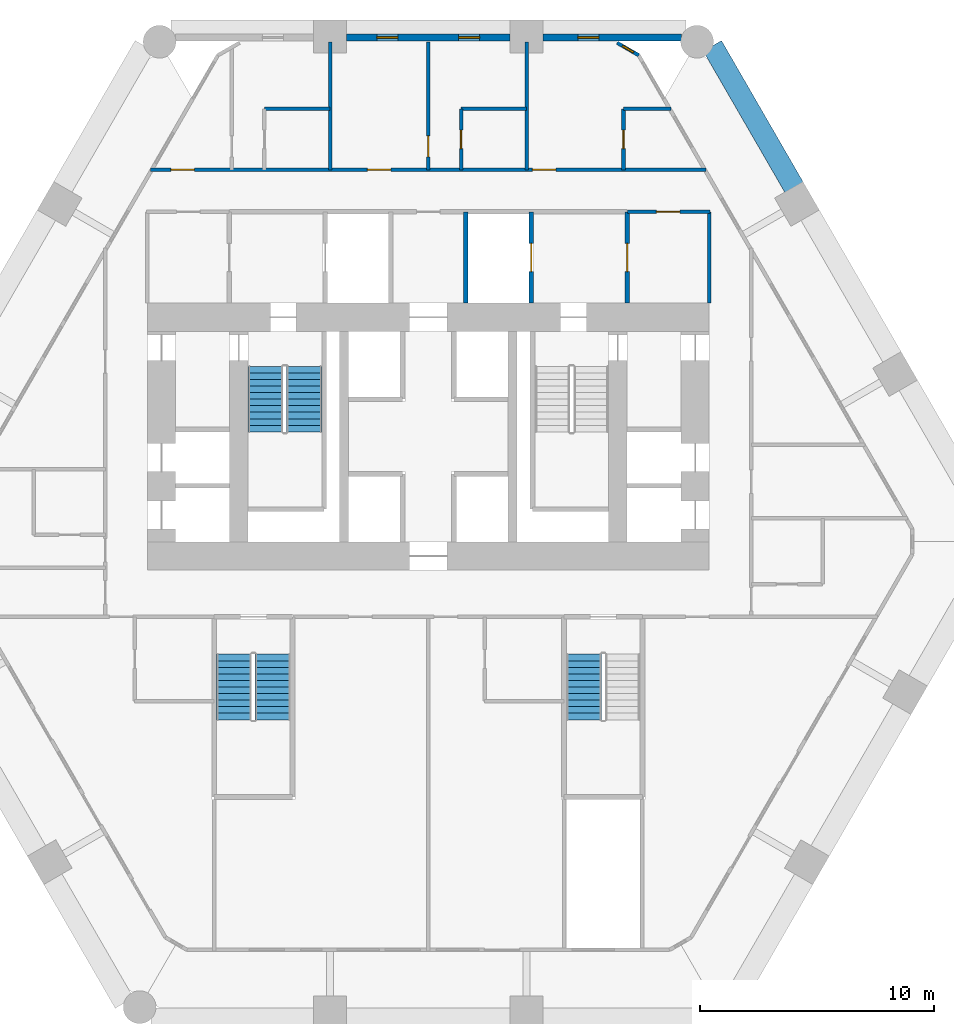
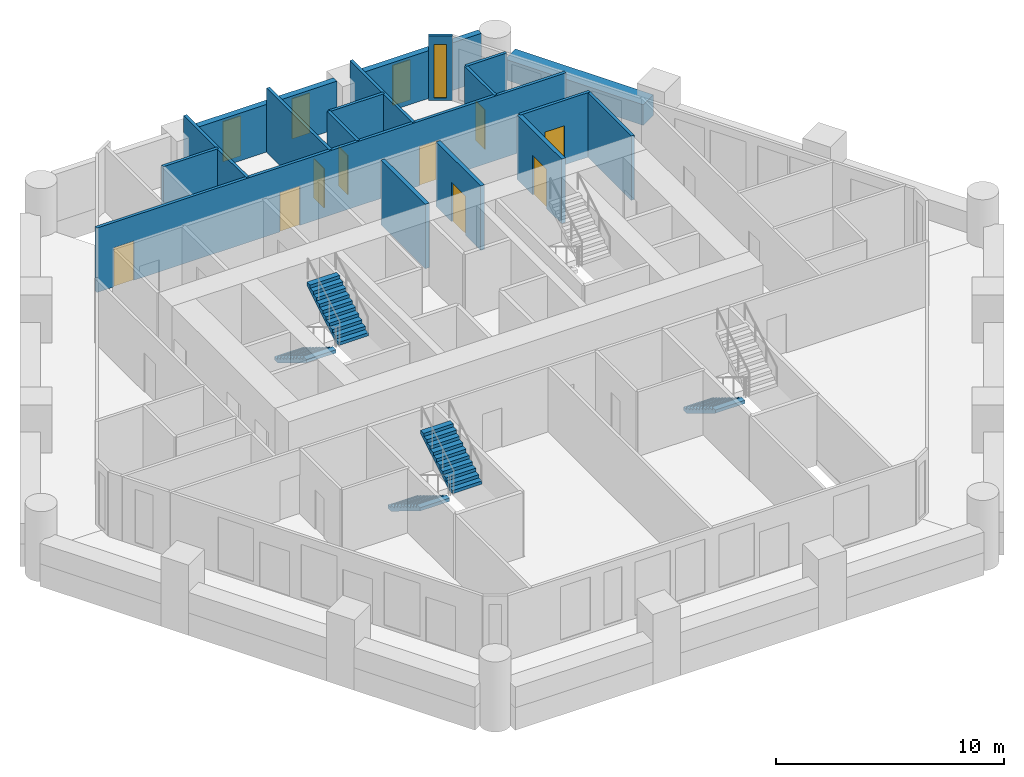
# One storey, part 6 of 8: 18 walls, 9 doors, 5 stair flights, 4 windows, 13 openings, 3 elements without a shape of their own.
"""IFC4 building model written with IfcOpenShell, lengths in metres."""

from ifc_helpers import new_model, si_unit, direction, frame, frame_2d, origin, place, context, subcontext, project, spatial, polyline, rectangle, outline, extrude, material, layer, layer_set, type_object, element, fill, aggregate, save


model = new_model("IFC4")

# Units and contexts
model_context = context("Model", 3, precision=1e-05, world=origin(), true_north=direction((0.0, 1.0)))
body_context = subcontext(model_context, "Body", "Model", "MODEL_VIEW")
ifc_project = project(units=[si_unit("LENGTHUNIT", "METRE"), si_unit("AREAUNIT", "SQUARE_METRE"), si_unit("VOLUMEUNIT", "CUBIC_METRE"), si_unit("PLANEANGLEUNIT", "RADIAN"), si_unit("MASSUNIT", "GRAM", prefix="KILO")], contexts=[model_context])

# Site, building, storey
site_placement = place(None, origin())
site = spatial("IfcSite", under=ifc_project, at=site_placement, CompositionType="ELEMENT")
building_placement = place(site_placement, origin())
building = spatial("IfcBuilding", under=site, at=building_placement, Name="Ostrander Bayou Hotel Tower", CompositionType="ELEMENT")
storey_placement = place(building_placement, frame((0.0, 0.0, 50.5)))
storey = spatial("IfcBuildingStorey", under=building, at=storey_placement, Name="L12", CompositionType="ELEMENT", Elevation=50.5)

# Wall, opening, window
ifc_material_1 = material(Name="Aluminium framed insulated wall", Category="aluminium")
ifc_layer_1 = layer(ifc_material_1, 0.14990234375)
ifc_layer_set_1 = layer_set([ifc_layer_1], Name="GW1 glass-line wall 150 mm")
wall_type_1 = type_object("IfcWallType", Name="GW1 glass-line wall 150 mm", PredefinedType="SOLIDWALL", material=ifc_layer_set_1)
wall_1_placement = place(storey_placement, frame((8.99267578125, 20.29248046875, 0.0), z_axis=(0.0, 0.0, 1.0), x_axis=(-0.866048165231, 0.499960573946, 0.0)))
wall_1 = element("IfcWall", 1, at=wall_1_placement, inside=storey, type_object=wall_type_1, Name="GW1 L12 corner 6", PredefinedType="SOLIDWALL", context=body_context, shape_type="SweptSolid", body=[
    extrude(rectangle(XDim=1.06494140625, YDim=0.14990234375, at=frame_2d((0.532470703125, 0.0))), origin(), (0.0, 0.0, 1.0), 3.449951171875),
])
opening_1_placement = place(wall_1_placement, frame((0.257568359375, 0.0, 0.14990234375)))
opening_1 = element("IfcOpeningElement", 2, at=opening_1_placement, cuts=wall_1, Name="Opening W19", PredefinedType="OPENING", context=body_context, shape_type="SweptSolid", body=[
    extrude(rectangle(XDim=0.550048828125, YDim=2.85009765625, at=frame_2d((0.27490234375, 1.425048828125))), frame((0.0, 0.074951171875, 0.0), z_axis=(0.0, -1.0, 0.0), x_axis=(1.0, 0.0, 0.0)), (0.0, 0.0, 1.0), 0.14990234375),
])
ifc_material_2 = material(Name="Aluminium and clear glass", Category="aluminium")
window_type_1 = type_object("IfcWindowType", Name="W19 corner window 550 mm", PartitioningType="SINGLE_PANEL", PredefinedType="WINDOW", material=ifc_material_2)
window_1_placement = place(opening_1_placement, origin())
window_1 = element("IfcWindow", 3, at=window_1_placement, inside=storey, type_object=window_type_1, Name="W19 L12 corner 6", OverallHeight=2.85009765625, OverallWidth=0.550048828125, PartitioningType="SINGLE_PANEL", PredefinedType="WINDOW", context=body_context, shape_type="SweptSolid", body=[
    extrude(rectangle(XDim=0.550048828125, YDim=2.85009765625, at=frame_2d((0.27490234375, 1.425048828125))), frame((0.0, 0.030029296875, 0.0), z_axis=(0.0, -1.0, 0.0), x_axis=(1.0, 0.0, 0.0)), (0.0, 0.0, 1.0), 0.06005859375),
])
fill(opening_1, window_1)

ifc_material_3 = material(Name="Reconstituted stone on masonry backing", Category="masonry")
ifc_layer_2 = layer(ifc_material_3, 0.300048828125)
ifc_layer_set_2 = layer_set([ifc_layer_2], Name="NW1 north stone wall 300 mm")
wall_type_2 = type_object("IfcWallType", Name="NW1 north stone wall 300 mm", PredefinedType="SOLIDWALL", material=ifc_layer_set_2)
wall_2_placement = place(storey_placement, frame((10.809814453125, 21.050048828125, 0.0), z_axis=(0.0, 0.0, 1.0), x_axis=(-1.0, 0.0, 0.0)))
wall_2 = element("IfcWall", 4, at=wall_2_placement, inside=storey, type_object=wall_type_2, Name="NW1 L12 N-1", PredefinedType="SOLIDWALL", context=body_context, shape_type="SweptSolid", body=[
    extrude(rectangle(XDim=5.914306640625, YDim=0.300048828125, at=frame_2d((2.95703125, 0.0))), origin(), (0.0, 0.0, 1.0), 2.550048828125),
])
opening_2_placement = place(wall_2_placement, frame((3.521728515625, 0.0, 0.14990234375)))
opening_2 = element("IfcOpeningElement", 5, at=opening_2_placement, cuts=wall_2, Name="Opening W15", PredefinedType="OPENING", context=body_context, shape_type="SweptSolid", body=[
    extrude(rectangle(XDim=0.89990234375, YDim=2.14990234375, at=frame_2d((0.449951171875, 1.074951171875))), frame((0.0, 0.14990234375, 0.0), z_axis=(0.0, -1.0, 0.0), x_axis=(1.0, 0.0, 0.0)), (0.0, 0.0, 1.0), 0.300048828125),
])
ifc_material_4 = material(Name="Aluminium and clear glass", Category="aluminium")
window_type_2 = type_object("IfcWindowType", Name="W15 window 900 mm, zone 1", PartitioningType="SINGLE_PANEL", PredefinedType="WINDOW", material=ifc_material_4)
window_2_placement = place(opening_2_placement, origin())
window_2 = element("IfcWindow", 6, at=window_2_placement, inside=storey, type_object=window_type_2, Name="W15 L12 north N-1", OverallHeight=2.14990234375, OverallWidth=0.89990234375, PartitioningType="SINGLE_PANEL", PredefinedType="WINDOW", context=body_context, shape_type="SweptSolid", body=[
    extrude(rectangle(XDim=0.89990234375, YDim=2.14990234375, at=frame_2d((0.449951171875, 1.074951171875))), frame((0.0, 0.030029296875, 0.0), z_axis=(0.0, -1.0, 0.0), x_axis=(1.0, 0.0, 0.0)), (0.0, 0.0, 1.0), 0.06005859375),
])
fill(opening_2, window_2)

# Wall, openings, windows
wall_3_placement = place(storey_placement, frame((3.495361328125, 21.050048828125, 0.0), z_axis=(0.0, 0.0, 1.0), x_axis=(-1.0, 0.0, 0.0)))
wall_3 = element("IfcWall", 7, at=wall_3_placement, inside=storey, type_object=wall_type_2, Name="NW1 L12 N-2", PredefinedType="SOLIDWALL", context=body_context, shape_type="SweptSolid", body=[
    extrude(rectangle(XDim=6.99072265625, YDim=0.300048828125, at=frame_2d((3.495361328125, 0.0))), origin(), (0.0, 0.0, 1.0), 2.550048828125),
])
opening_3_placement = place(wall_3_placement, frame((1.300048828125, 0.0, 0.14990234375)))
opening_3 = element("IfcOpeningElement", 8, at=opening_3_placement, cuts=wall_3, Name="Opening W15", PredefinedType="OPENING", context=body_context, shape_type="SweptSolid", body=[
    extrude(rectangle(XDim=0.89990234375, YDim=2.14990234375, at=frame_2d((0.449951171875, 1.074951171875))), frame((0.0, 0.14990234375, 0.0), z_axis=(0.0, -1.0, 0.0), x_axis=(1.0, 0.0, 0.0)), (0.0, 0.0, 1.0), 0.300048828125),
])
opening_4_placement = place(wall_3_placement, frame((4.79541015625, 0.0, 0.14990234375)))
opening_4 = element("IfcOpeningElement", 9, at=opening_4_placement, cuts=wall_3, Name="Opening W15", PredefinedType="OPENING", context=body_context, shape_type="SweptSolid", body=[
    extrude(rectangle(XDim=0.89990234375, YDim=2.14990234375, at=frame_2d((0.449951171875, 1.074951171875))), frame((0.0, 0.14990234375, 0.0), z_axis=(0.0, -1.0, 0.0), x_axis=(1.0, 0.0, 0.0)), (0.0, 0.0, 1.0), 0.300048828125),
])
window_3_placement = place(opening_3_placement, origin())
window_3 = element("IfcWindow", 10, at=window_3_placement, inside=storey, type_object=window_type_2, Name="W15 L12 north N-2", OverallHeight=2.14990234375, OverallWidth=0.89990234375, PartitioningType="SINGLE_PANEL", PredefinedType="WINDOW", context=body_context, shape_type="SweptSolid", body=[
    extrude(rectangle(XDim=0.89990234375, YDim=2.14990234375, at=frame_2d((0.449951171875, 1.074951171875))), frame((0.0, 0.030029296875, 0.0), z_axis=(0.0, -1.0, 0.0), x_axis=(1.0, 0.0, 0.0)), (0.0, 0.0, 1.0), 0.06005859375),
])
fill(opening_3, window_3)
window_4_placement = place(opening_4_placement, origin())
window_4 = element("IfcWindow", 11, at=window_4_placement, inside=storey, type_object=window_type_2, Name="W15 L12 north N-2-2", OverallHeight=2.14990234375, OverallWidth=0.89990234375, PartitioningType="SINGLE_PANEL", PredefinedType="WINDOW", context=body_context, shape_type="SweptSolid", body=[
    extrude(rectangle(XDim=0.89990234375, YDim=2.14990234375, at=frame_2d((0.449951171875, 1.074951171875))), frame((0.0, 0.030029296875, 0.0), z_axis=(0.0, -1.0, 0.0), x_axis=(1.0, 0.0, 0.0)), (0.0, 0.0, 1.0), 0.06005859375),
])
fill(opening_4, window_4)

# Wall
ifc_material_5 = material(Name="Concrete f'c 40 MPa", Category="concrete")
ifc_layer_3 = layer(ifc_material_5, 0.89990234375)
ifc_layer_set_3 = layer_set([ifc_layer_3], Name="PA1 stone-faced parapet 900 mm")
wall_type_3 = type_object("IfcWallType", Name="PA1 stone-faced parapet 900 mm", PredefinedType="PARAPET", material=ifc_layer_set_3)
wall_4_placement = place(storey_placement, frame((15.6318359375, 14.64306640625, 0.0), z_axis=(0.0, 0.0, 1.0), x_axis=(-0.500009789943, 0.866019751484, 0.0)))
element("IfcWall", 12, at=wall_4_placement, inside=storey, type_object=wall_type_3, Name="PA1 L12 NE-3", PredefinedType="PARAPET", context=body_context, shape_type="SweptSolid", body=[
    extrude(rectangle(XDim=6.987060546875, YDim=0.89990234375, at=frame_2d((3.49365234375, 0.0))), origin(), (0.0, 0.0, 1.0), 1.10009765625),
])

# Wall, opening, door
ifc_material_6 = material(Name="Masonry block", Category="masonry")
ifc_layer_4 = layer(ifc_material_6, 0.199951171875)
ifc_layer_set_4 = layer_set([ifc_layer_4], Name="PT5 stair enclosure wall 200 mm masonry, 2 hour")
wall_type_4 = type_object("IfcWallType", Name="PT5 stair enclosure wall 200 mm masonry, 2 hour", PredefinedType="PARTITIONING", material=ifc_layer_set_4)
wall_5_placement = place(storey_placement, frame((8.5, 9.699951171875, 0.0), z_axis=(0.0, 0.0, 1.0), x_axis=(0.0, 1.0, 0.0)))
wall_5 = element("IfcWall", 13, at=wall_5_placement, inside=storey, type_object=wall_type_4, Name="cs:L12:025", PredefinedType="PARTITIONING", context=body_context, shape_type="SweptSolid", body=[
    extrude(rectangle(XDim=3.900146484375, YDim=0.199951171875, at=frame_2d((1.9501953125, 0.0))), origin(), (0.0, 0.0, 1.0), 3.449951171875),
])
opening_5_placement = place(wall_5_placement, frame((1.35009765625, 0.0, 0.0)))
opening_5 = element("IfcOpeningElement", 14, at=opening_5_placement, cuts=wall_5, Name="Opening T12-012", PredefinedType="OPENING", context=body_context, shape_type="SweptSolid", body=[
    extrude(rectangle(XDim=1.199951171875, YDim=2.10009765625, at=frame_2d((0.60009765625, 1.050048828125))), frame((0.0, 0.10009765625, 0.0), z_axis=(0.0, -1.0, 0.0), x_axis=(1.0, 0.0, 0.0)), (0.0, 0.0, 1.0), 0.199951171875),
])
ifc_material_7 = material(Name="Timber door leaf", Category="wood")
door_type_1 = type_object("IfcDoorType", Name="D7 lobby door 1200 x 2100 mm, 1 hour", OperationType="SINGLE_SWING_LEFT", PredefinedType="DOOR", material=ifc_material_7)
door_1_placement = place(opening_5_placement, origin())
door_1 = element("IfcDoor", 15, at=door_1_placement, inside=storey, type_object=door_type_1, Name="dr:L12:012", OperationType="SINGLE_SWING_LEFT", OverallHeight=2.10009765625, OverallWidth=1.199951171875, PredefinedType="DOOR", context=body_context, shape_type="SweptSolid", body=[
    extrude(rectangle(XDim=1.199951171875, YDim=2.10009765625, at=frame_2d((0.60009765625, 1.050048828125))), frame((0.0, 0.02490234375, 0.0), z_axis=(0.0, -1.0, 0.0), x_axis=(1.0, 0.0, 0.0)), (0.0, 0.0, 1.0), 0.050048828125),
])
fill(opening_5, door_1)

wall_6_placement = place(storey_placement, frame((4.39990234375, 9.699951171875, 0.0), z_axis=(0.0, 0.0, 1.0), x_axis=(0.0, 1.0, 0.0)))
wall_6 = element("IfcWall", 16, at=wall_6_placement, inside=storey, type_object=wall_type_4, Name="cs:L12:027", PredefinedType="PARTITIONING", context=body_context, shape_type="SweptSolid", body=[
    extrude(rectangle(XDim=3.900146484375, YDim=0.199951171875, at=frame_2d((1.9501953125, 0.0))), origin(), (0.0, 0.0, 1.0), 3.449951171875),
])
opening_6_placement = place(wall_6_placement, frame((1.35009765625, 0.0, 0.0)))
opening_6 = element("IfcOpeningElement", 17, at=opening_6_placement, cuts=wall_6, Name="Opening T12-011", PredefinedType="OPENING", context=body_context, shape_type="SweptSolid", body=[
    extrude(rectangle(XDim=1.199951171875, YDim=2.10009765625, at=frame_2d((0.60009765625, 1.050048828125))), frame((0.0, 0.10009765625, 0.0), z_axis=(0.0, -1.0, 0.0), x_axis=(1.0, 0.0, 0.0)), (0.0, 0.0, 1.0), 0.199951171875),
])
ifc_material_8 = material(Name="Stainless steel sliding door", Category="steel")
door_type_2 = type_object("IfcDoorType", Name="LD1 lift landing door 1200 x 2100 mm", OperationType="SINGLE_SWING_LEFT", PredefinedType="DOOR", material=ifc_material_8)
door_2_placement = place(opening_6_placement, origin())
door_2 = element("IfcDoor", 18, at=door_2_placement, inside=storey, type_object=door_type_2, Name="dr:L12:011", OperationType="SLIDING_TO_LEFT", OverallHeight=2.10009765625, OverallWidth=1.199951171875, PredefinedType="DOOR", context=body_context, shape_type="SweptSolid", body=[
    extrude(rectangle(XDim=1.199951171875, YDim=2.10009765625, at=frame_2d((0.60009765625, 1.050048828125))), frame((0.0, 0.02490234375, 0.0), z_axis=(0.0, -1.0, 0.0), x_axis=(1.0, 0.0, 0.0)), (0.0, 0.0, 1.0), 0.050048828125),
])
fill(opening_6, door_2)

# Wall
ifc_material_9 = material(Name="Masonry block", Category="masonry")
ifc_layer_5 = layer(ifc_material_9, 0.199951171875)
ifc_layer_set_5 = layer_set([ifc_layer_5], Name="PT6 lift shaft wall 200 mm masonry, 2 hour")
wall_type_5 = type_object("IfcWallType", Name="PT6 lift shaft wall 200 mm masonry, 2 hour", PredefinedType="PARTITIONING", material=ifc_layer_set_5)
wall_7_placement = place(storey_placement, frame((1.60009765625, 9.699951171875, 0.0), z_axis=(0.0, 0.0, 1.0), x_axis=(0.0, 1.0, 0.0)))
element("IfcWall", 19, at=wall_7_placement, inside=storey, type_object=wall_type_5, Name="cs:L12:029", PredefinedType="PARTITIONING", context=body_context, shape_type="SweptSolid", body=[
    extrude(rectangle(XDim=3.900146484375, YDim=0.199951171875, at=frame_2d((1.9501953125, 0.0))), origin(), (0.0, 0.0, 1.0), 3.449951171875),
])

# Wall, opening, door
ifc_material_10 = material(Name="Gypsum board partition", Category="finish")
ifc_layer_6 = layer(ifc_material_10, 0.14990234375)
ifc_layer_set_6 = layer_set([ifc_layer_6], Name="PT8 service band wall 150 mm, 1 hour")
wall_type_6 = type_object("IfcWallType", Name="PT8 service band wall 150 mm, 1 hour", PredefinedType="PARTITIONING", material=ifc_layer_set_6)
wall_8_placement = place(storey_placement, frame((8.510009765625, 13.60009765625, 0.0), z_axis=(0.0, 0.0, 1.0), x_axis=(1.0, 0.0, 0.0)))
wall_8 = element("IfcWall", 20, at=wall_8_placement, inside=storey, type_object=wall_type_6, Name="gw:L12:013", PredefinedType="PARTITIONING", context=body_context, shape_type="SweptSolid", body=[
    extrude(rectangle(XDim=3.530029296875, YDim=0.14990234375, at=frame_2d((1.76513671875, 0.0))), origin(), (0.0, 0.0, 1.0), 3.449951171875),
])
opening_7_placement = place(wall_8_placement, frame((1.239990234375, 0.0, 0.0)))
opening_7 = element("IfcOpeningElement", 21, at=opening_7_placement, cuts=wall_8, Name="Opening T12-423", PredefinedType="OPENING", context=body_context, shape_type="SweptSolid", body=[
    extrude(rectangle(XDim=1.0, YDim=2.10009765625, at=frame_2d((0.5, 1.050048828125))), frame((0.0, 0.074951171875, 0.0), z_axis=(0.0, -1.0, 0.0), x_axis=(1.0, 0.0, 0.0)), (0.0, 0.0, 1.0), 0.14990234375),
])
ifc_material_11 = material(Name="Timber door leaf", Category="wood")
door_type_3 = type_object("IfcDoorType", Name="D9 service door 1000 x 2100 mm, 30 minute", OperationType="SINGLE_SWING_LEFT", PredefinedType="DOOR", material=ifc_material_11)
door_3_placement = place(opening_7_placement, origin())
door_3 = element("IfcDoor", 22, at=door_3_placement, inside=storey, type_object=door_type_3, Name="dr:L12:423", OperationType="SINGLE_SWING_LEFT", OverallHeight=2.10009765625, OverallWidth=1.0, PredefinedType="DOOR", context=body_context, shape_type="SweptSolid", body=[
    extrude(rectangle(XDim=1.0, YDim=2.10009765625, at=frame_2d((0.5, 1.050048828125))), frame((0.0, 0.02490234375, 0.0), z_axis=(0.0, -1.0, 0.0), x_axis=(1.0, 0.0, 0.0)), (0.0, 0.0, 1.0), 0.050048828125),
])
fill(opening_7, door_3)

# Wall, openings, doors
wall_9_placement = place(storey_placement, frame((-11.868896484375, 15.39990234375, 0.0), z_axis=(0.0, 0.0, 1.0), x_axis=(1.0, 0.0, 0.0)))
wall_9 = element("IfcWall", 23, at=wall_9_placement, inside=storey, type_object=wall_type_6, Name="gw:L12:014", PredefinedType="PARTITIONING", context=body_context, shape_type="SweptSolid", body=[
    extrude(rectangle(XDim=23.73779296875, YDim=0.14990234375, at=frame_2d((11.868896484375, 0.0))), origin(), (0.0, 0.0, 1.0), 3.449951171875),
])
opening_8_placement = place(wall_9_placement, frame((0.868896484375, 0.0, 0.0)))
opening_8 = element("IfcOpeningElement", 24, at=opening_8_placement, cuts=wall_9, Name="Opening T12-414", PredefinedType="OPENING", context=body_context, shape_type="SweptSolid", body=[
    extrude(rectangle(XDim=1.0, YDim=2.10009765625, at=frame_2d((0.5, 1.050048828125))), frame((0.0, 0.074951171875, 0.0), z_axis=(0.0, -1.0, 0.0), x_axis=(1.0, 0.0, 0.0)), (0.0, 0.0, 1.0), 0.14990234375),
])
opening_9_placement = place(wall_9_placement, frame((9.26904296875, 0.0, 0.0)))
opening_9 = element("IfcOpeningElement", 25, at=opening_9_placement, cuts=wall_9, Name="Opening T12-417", PredefinedType="OPENING", context=body_context, shape_type="SweptSolid", body=[
    extrude(rectangle(XDim=1.0, YDim=2.10009765625, at=frame_2d((0.5, 1.050048828125))), frame((0.0, 0.074951171875, 0.0), z_axis=(0.0, -1.0, 0.0), x_axis=(1.0, 0.0, 0.0)), (0.0, 0.0, 1.0), 0.14990234375),
])
opening_10_placement = place(wall_9_placement, frame((16.319091796875, 0.0, 0.0)))
opening_10 = element("IfcOpeningElement", 26, at=opening_10_placement, cuts=wall_9, Name="Opening T12-420", PredefinedType="OPENING", context=body_context, shape_type="SweptSolid", body=[
    extrude(rectangle(XDim=1.0, YDim=2.10009765625, at=frame_2d((0.5, 1.050048828125))), frame((0.0, 0.074951171875, 0.0), z_axis=(0.0, -1.0, 0.0), x_axis=(1.0, 0.0, 0.0)), (0.0, 0.0, 1.0), 0.14990234375),
])
ifc_material_12 = material(Name="Timber door leaf", Category="wood")
door_type_4 = type_object("IfcDoorType", Name="D1 guest room door 1000 x 2100 mm, 30 minute", OperationType="SINGLE_SWING_LEFT", PredefinedType="DOOR", material=ifc_material_12)
door_4_placement = place(opening_8_placement, origin())
door_4 = element("IfcDoor", 27, at=door_4_placement, inside=storey, type_object=door_type_4, Name="dr:L12:414", OperationType="SINGLE_SWING_LEFT", OverallHeight=2.10009765625, OverallWidth=1.0, PredefinedType="DOOR", context=body_context, shape_type="SweptSolid", body=[
    extrude(rectangle(XDim=1.0, YDim=2.10009765625, at=frame_2d((0.5, 1.050048828125))), frame((0.0, 0.02490234375, 0.0), z_axis=(0.0, -1.0, 0.0), x_axis=(1.0, 0.0, 0.0)), (0.0, 0.0, 1.0), 0.050048828125),
])
fill(opening_8, door_4)
door_5_placement = place(opening_9_placement, origin())
door_5 = element("IfcDoor", 28, at=door_5_placement, inside=storey, type_object=door_type_4, Name="dr:L12:417", OperationType="SINGLE_SWING_LEFT", OverallHeight=2.10009765625, OverallWidth=1.0, PredefinedType="DOOR", context=body_context, shape_type="SweptSolid", body=[
    extrude(rectangle(XDim=1.0, YDim=2.10009765625, at=frame_2d((0.5, 1.050048828125))), frame((0.0, 0.02490234375, 0.0), z_axis=(0.0, -1.0, 0.0), x_axis=(1.0, 0.0, 0.0)), (0.0, 0.0, 1.0), 0.050048828125),
])
fill(opening_9, door_5)
door_6_placement = place(opening_10_placement, origin())
door_6 = element("IfcDoor", 29, at=door_6_placement, inside=storey, type_object=door_type_4, Name="dr:L12:420", OperationType="SINGLE_SWING_LEFT", OverallHeight=2.10009765625, OverallWidth=1.0, PredefinedType="DOOR", context=body_context, shape_type="SweptSolid", body=[
    extrude(rectangle(XDim=1.0, YDim=2.10009765625, at=frame_2d((0.5, 1.050048828125))), frame((0.0, 0.02490234375, 0.0), z_axis=(0.0, -1.0, 0.0), x_axis=(1.0, 0.0, 0.0)), (0.0, 0.0, 1.0), 0.050048828125),
])
fill(opening_10, door_6)

# Walls
for number, where, z_axis, x_axis, name in (
    (30, (-7.0, 18.0, 0.0), (0.0, 0.0, 1.0), (1.0, 0.0, 0.0), "gw:L12:015"),
    (31, (1.39990234375, 18.0, 0.0), (0.0, 0.0, 1.0), (1.0, 0.0, 0.0), "gw:L12:016"),
):
    element("IfcWall", number, at=place(storey_placement, frame(where, z_axis=z_axis, x_axis=x_axis)), inside=storey, type_object=wall_type_6, Name=name, PredefinedType="PARTITIONING", context=body_context, shape_type="SweptSolid", body=[
        extrude(rectangle(XDim=2.800048828125, YDim=0.14990234375, at=frame_2d((1.39990234375, 0.0))), origin(), (0.0, 0.0, 1.0), 3.449951171875),
    ])
wall_10_placement = place(storey_placement, frame((8.340087890625, 18.0, 0.0), z_axis=(0.0, 0.0, 1.0), x_axis=(1.0, 0.0, 0.0)))
element("IfcWall", 32, at=wall_10_placement, inside=storey, type_object=wall_type_6, Name="gw:L12:017", PredefinedType="PARTITIONING", context=body_context, shape_type="SweptSolid", body=[
    extrude(rectangle(XDim=2.02783203125, YDim=0.14990234375, at=frame_2d((1.013916015625, 0.0))), origin(), (0.0, 0.0, 1.0), 3.449951171875),
])
wall_11_placement = place(storey_placement, frame((12.0, 9.7099609375, 0.0), z_axis=(0.0, 0.0, 1.0), x_axis=(0.0, 1.0, 0.0)))
element("IfcWall", 33, at=wall_11_placement, inside=storey, type_object=wall_type_6, Name="gw:L12:020", PredefinedType="PARTITIONING", context=body_context, shape_type="SweptSolid", body=[
    extrude(rectangle(XDim=3.89013671875, YDim=0.14990234375, at=frame_2d((1.945068359375, 0.0))), origin(), (0.0, 0.0, 1.0), 3.449951171875),
])

# Wall, opening, door
wall_12_placement = place(storey_placement, frame((8.340087890625, 15.39990234375, 0.0), z_axis=(0.0, 0.0, 1.0), x_axis=(0.0, 1.0, 0.0)))
wall_12 = element("IfcWall", 34, at=wall_12_placement, inside=storey, type_object=wall_type_6, Name="gw:L12:022", PredefinedType="PARTITIONING", context=body_context, shape_type="SweptSolid", body=[
    extrude(rectangle(XDim=2.60009765625, YDim=0.14990234375, at=frame_2d((1.300048828125, 0.0))), origin(), (0.0, 0.0, 1.0), 3.449951171875),
])
opening_11_placement = place(wall_12_placement, frame((0.89990234375, 0.0, 0.0)))
opening_11 = element("IfcOpeningElement", 35, at=opening_11_placement, cuts=wall_12, Name="Opening T12-421", PredefinedType="OPENING", context=body_context, shape_type="SweptSolid", body=[
    extrude(rectangle(XDim=0.800048828125, YDim=2.10009765625, at=frame_2d((0.39990234375, 1.050048828125))), frame((0.0, 0.074951171875, 0.0), z_axis=(0.0, -1.0, 0.0), x_axis=(1.0, 0.0, 0.0)), (0.0, 0.0, 1.0), 0.14990234375),
])
ifc_material_13 = material(Name="Timber door leaf", Category="wood")
door_type_5 = type_object("IfcDoorType", Name="D2 bathroom door 800 x 2100 mm", OperationType="SINGLE_SWING_LEFT", PredefinedType="DOOR", material=ifc_material_13)
door_7_placement = place(opening_11_placement, origin())
door_7 = element("IfcDoor", 36, at=door_7_placement, inside=storey, type_object=door_type_5, Name="dr:L12:421", OperationType="SINGLE_SWING_LEFT", OverallHeight=2.10009765625, OverallWidth=0.800048828125, PredefinedType="DOOR", context=body_context, shape_type="SweptSolid", body=[
    extrude(rectangle(XDim=0.800048828125, YDim=2.10009765625, at=frame_2d((0.39990234375, 1.050048828125))), frame((0.0, 0.02490234375, 0.0), z_axis=(0.0, -1.0, 0.0), x_axis=(1.0, 0.0, 0.0)), (0.0, 0.0, 1.0), 0.050048828125),
])
fill(opening_11, door_7)

# Wall
wall_13_placement = place(storey_placement, frame((4.199951171875, 15.39990234375, 0.0), z_axis=(0.0, 0.0, 1.0), x_axis=(0.0, 1.0, 0.0)))
element("IfcWall", 37, at=wall_13_placement, inside=storey, type_object=wall_type_6, Name="gw:L12:024", PredefinedType="PARTITIONING", context=body_context, shape_type="SweptSolid", body=[
    extrude(rectangle(XDim=5.47021484375, YDim=0.14990234375, at=frame_2d((2.735107421875, 0.0))), origin(), (0.0, 0.0, 1.0), 3.449951171875),
])

# Wall, opening, door
wall_14_placement = place(storey_placement, frame((1.39990234375, 15.39990234375, 0.0), z_axis=(0.0, 0.0, 1.0), x_axis=(0.0, 1.0, 0.0)))
wall_14 = element("IfcWall", 38, at=wall_14_placement, inside=storey, type_object=wall_type_6, Name="gw:L12:026", PredefinedType="PARTITIONING", context=body_context, shape_type="SweptSolid", body=[
    extrude(rectangle(XDim=2.60009765625, YDim=0.14990234375, at=frame_2d((1.300048828125, 0.0))), origin(), (0.0, 0.0, 1.0), 3.449951171875),
])
opening_12_placement = place(wall_14_placement, frame((0.89990234375, 0.0, 0.0)))
opening_12 = element("IfcOpeningElement", 39, at=opening_12_placement, cuts=wall_14, Name="Opening T12-419", PredefinedType="OPENING", context=body_context, shape_type="SweptSolid", body=[
    extrude(rectangle(XDim=0.800048828125, YDim=2.10009765625, at=frame_2d((0.39990234375, 1.050048828125))), frame((0.0, 0.074951171875, 0.0), z_axis=(0.0, -1.0, 0.0), x_axis=(1.0, 0.0, 0.0)), (0.0, 0.0, 1.0), 0.14990234375),
])
door_8_placement = place(opening_12_placement, origin())
door_8 = element("IfcDoor", 40, at=door_8_placement, inside=storey, type_object=door_type_5, Name="dr:L12:419", OperationType="SINGLE_SWING_LEFT", OverallHeight=2.10009765625, OverallWidth=0.800048828125, PredefinedType="DOOR", context=body_context, shape_type="SweptSolid", body=[
    extrude(rectangle(XDim=0.800048828125, YDim=2.10009765625, at=frame_2d((0.39990234375, 1.050048828125))), frame((0.0, 0.02490234375, 0.0), z_axis=(0.0, -1.0, 0.0), x_axis=(1.0, 0.0, 0.0)), (0.0, 0.0, 1.0), 0.050048828125),
])
fill(opening_12, door_8)

wall_15_placement = place(storey_placement, frame((0.0, 15.39990234375, 0.0), z_axis=(0.0, 0.0, 1.0), x_axis=(0.0, 1.0, 0.0)))
wall_15 = element("IfcWall", 41, at=wall_15_placement, inside=storey, type_object=wall_type_6, Name="gw:L12:028", PredefinedType="PARTITIONING", context=body_context, shape_type="SweptSolid", body=[
    extrude(rectangle(XDim=5.47021484375, YDim=0.14990234375, at=frame_2d((2.735107421875, 0.0))), origin(), (0.0, 0.0, 1.0), 3.449951171875),
])
opening_13_placement = place(wall_15_placement, frame((0.550048828125, 0.0, 0.0)))
opening_13 = element("IfcOpeningElement", 42, at=opening_13_placement, cuts=wall_15, Name="Opening T12-418", PredefinedType="OPENING", context=body_context, shape_type="SweptSolid", body=[
    extrude(rectangle(XDim=0.89990234375, YDim=2.10009765625, at=frame_2d((0.449951171875, 1.050048828125))), frame((0.0, 0.074951171875, 0.0), z_axis=(0.0, -1.0, 0.0), x_axis=(1.0, 0.0, 0.0)), (0.0, 0.0, 1.0), 0.14990234375),
])
ifc_material_14 = material(Name="Timber door leaf", Category="wood")
door_type_6 = type_object("IfcDoorType", Name="D8 room door 900 x 2100 mm", OperationType="SINGLE_SWING_LEFT", PredefinedType="DOOR", material=ifc_material_14)
door_9_placement = place(opening_13_placement, origin())
door_9 = element("IfcDoor", 43, at=door_9_placement, inside=storey, type_object=door_type_6, Name="dr:L12:418", OperationType="SINGLE_SWING_LEFT", OverallHeight=2.10009765625, OverallWidth=0.89990234375, PredefinedType="DOOR", context=body_context, shape_type="SweptSolid", body=[
    extrude(rectangle(XDim=0.89990234375, YDim=2.10009765625, at=frame_2d((0.449951171875, 1.050048828125))), frame((0.0, 0.02490234375, 0.0), z_axis=(0.0, -1.0, 0.0), x_axis=(1.0, 0.0, 0.0)), (0.0, 0.0, 1.0), 0.050048828125),
])
fill(opening_13, door_9)

# Wall
wall_16_placement = place(storey_placement, frame((-4.199951171875, 15.39990234375, 0.0), z_axis=(0.0, 0.0, 1.0), x_axis=(0.0, 1.0, 0.0)))
element("IfcWall", 44, at=wall_16_placement, inside=storey, type_object=wall_type_6, Name="gw:L12:029", PredefinedType="PARTITIONING", context=body_context, shape_type="SweptSolid", body=[
    extrude(rectangle(XDim=5.47021484375, YDim=0.14990234375, at=frame_2d((2.735107421875, 0.0))), origin(), (0.0, 0.0, 1.0), 3.449951171875),
])

# Stair, stair flights
ifc_material_15 = material(Name="Concrete f'c 45 MPa", Category="concrete")
stair_type = type_object("IfcStairType", Name="ST1 exit stair 1500 mm f'c 45 MPa", PredefinedType="HALF_TURN_STAIR", material=ifc_material_15)
stair_1_placement = place(storey_placement, origin())
stair_1 = element("IfcStair", 45, at=stair_1_placement, inside=storey, type_object=stair_type, Name="L12 exit stair A", PredefinedType="HALF_TURN_STAIR")
ifc_material_16 = material(Name="Concrete f'c 45 MPa", Category="concrete")
stair_flight_type = type_object("IfcStairFlightType", Name="SF1 stair flight 1500 mm f'c 45 MPa", PredefinedType="STRAIGHT", material=ifc_material_16)
stair_flight_1_placement = place(storey_placement, frame((-6.949951171875, 7.0, 0.0), z_axis=(0.0, 0.0, 1.0), x_axis=(0.0, -1.0, 0.0)))
stair_flight_1 = element("IfcStairFlight", 46, at=stair_flight_1_placement, type_object=stair_flight_type, Name="STA flight 1", NumberOfRisers=11, NumberOfTreads=10, PredefinedType="STRAIGHT", RiserHeight=0.170454545, TreadLength=0.28, context=body_context, shape_type="SweptSolid", body=[
    extrude(outline(polyline([(0.0, 0.0), (0.0, 0.17041015625), (0.280029296875, 0.17041015625), (0.280029296875, 0.3408203125), (0.56005859375, 0.3408203125), (0.56005859375, 0.511474609375), (0.840087890625, 0.511474609375), (0.840087890625, 0.681884765625), (1.1201171875, 0.681884765625), (1.1201171875, 0.852294921875), (1.39990234375, 0.852294921875), (1.39990234375, 1.022705078125), (1.679931640625, 1.022705078125), (1.679931640625, 1.193115234375), (1.9599609375, 1.193115234375), (1.9599609375, 1.363525390625), (2.239990234375, 1.363525390625), (2.239990234375, 1.5341796875), (2.52001953125, 1.5341796875), (2.52001953125, 1.70458984375), (2.800048828125, 1.70458984375), (2.800048828125, 1.875), (2.800048828125, 1.529052734375), (0.288330078125, 0.0), (0.0, 0.0)])), frame((0.0, 0.75, 0.0), z_axis=(0.0, -1.0, 0.0), x_axis=(1.0, 0.0, 0.0)), (0.0, 0.0, 1.0), 1.5),
])
stair_flight_2_placement = place(storey_placement, frame((-5.300048828125, 4.199951171875, 1.875), z_axis=(0.0, 0.0, 1.0), x_axis=(0.0, 1.0, 0.0)))
stair_flight_2 = element("IfcStairFlight", 47, at=stair_flight_2_placement, type_object=stair_flight_type, Name="STA flight 2", NumberOfRisers=11, NumberOfTreads=10, PredefinedType="STRAIGHT", RiserHeight=0.170454545, TreadLength=0.28, context=body_context, shape_type="SweptSolid", body=[
    extrude(outline(polyline([(0.0, 0.0), (0.0, 0.17041015625), (0.280029296875, 0.17041015625), (0.280029296875, 0.3408203125), (0.56005859375, 0.3408203125), (0.56005859375, 0.511474609375), (0.840087890625, 0.511474609375), (0.840087890625, 0.681884765625), (1.1201171875, 0.681884765625), (1.1201171875, 0.852294921875), (1.39990234375, 0.852294921875), (1.39990234375, 1.022705078125), (1.679931640625, 1.022705078125), (1.679931640625, 1.193115234375), (1.9599609375, 1.193115234375), (1.9599609375, 1.363525390625), (2.239990234375, 1.363525390625), (2.239990234375, 1.5341796875), (2.52001953125, 1.5341796875), (2.52001953125, 1.70458984375), (2.800048828125, 1.70458984375), (2.800048828125, 1.875), (2.800048828125, 1.529052734375), (0.288330078125, 0.0), (0.0, 0.0)])), frame((0.0, 0.75, 0.0), z_axis=(0.0, -1.0, 0.0), x_axis=(1.0, 0.0, 0.0)), (0.0, 0.0, 1.0), 1.5),
])
aggregate(stair_1, [stair_flight_1, stair_flight_2])

# Stair, stair flight
stair_2_placement = place(storey_placement, origin())
stair_2 = element("IfcStair", 48, at=stair_2_placement, inside=storey, type_object=stair_type, Name="L12 exit stair C", PredefinedType="HALF_TURN_STAIR")
stair_flight_3_placement = place(storey_placement, frame((6.64990234375, -5.300048828125, 0.0), z_axis=(0.0, 0.0, 1.0), x_axis=(0.0, -1.0, 0.0)))
stair_flight_3 = element("IfcStairFlight", 49, at=stair_flight_3_placement, type_object=stair_flight_type, Name="STC flight 1", NumberOfRisers=11, NumberOfTreads=10, PredefinedType="STRAIGHT", RiserHeight=0.170454545, TreadLength=0.28, context=body_context, shape_type="SweptSolid", body=[
    extrude(outline(polyline([(0.0, 0.0), (0.0, 0.17041015625), (0.280029296875, 0.17041015625), (0.280029296875, 0.3408203125), (0.56005859375, 0.3408203125), (0.56005859375, 0.511474609375), (0.840087890625, 0.511474609375), (0.840087890625, 0.681884765625), (1.1201171875, 0.681884765625), (1.1201171875, 0.852294921875), (1.39990234375, 0.852294921875), (1.39990234375, 1.022705078125), (1.679931640625, 1.022705078125), (1.679931640625, 1.193115234375), (1.9599609375, 1.193115234375), (1.9599609375, 1.363525390625), (2.239990234375, 1.363525390625), (2.239990234375, 1.5341796875), (2.52001953125, 1.5341796875), (2.52001953125, 1.70458984375), (2.800048828125, 1.70458984375), (2.800048828125, 1.875), (2.800048828125, 1.529052734375), (0.288330078125, 0.0), (0.0, 0.0)])), frame((0.0, 0.75, 0.0), z_axis=(0.0, -1.0, 0.0), x_axis=(1.0, 0.0, 0.0)), (0.0, 0.0, 1.0), 1.5),
])
aggregate(stair_2, [stair_flight_3])

# Stair, stair flights
stair_3_placement = place(storey_placement, origin())
stair_3 = element("IfcStair", 50, at=stair_3_placement, inside=storey, type_object=stair_type, Name="L12 exit stair D", PredefinedType="HALF_TURN_STAIR")
stair_flight_4_placement = place(storey_placement, frame((-8.300048828125, -5.300048828125, 0.0), z_axis=(0.0, 0.0, 1.0), x_axis=(0.0, -1.0, 0.0)))
stair_flight_4 = element("IfcStairFlight", 51, at=stair_flight_4_placement, type_object=stair_flight_type, Name="STD flight 1", NumberOfRisers=11, NumberOfTreads=10, PredefinedType="STRAIGHT", RiserHeight=0.170454545, TreadLength=0.28, context=body_context, shape_type="SweptSolid", body=[
    extrude(outline(polyline([(0.0, 0.0), (0.0, 0.17041015625), (0.280029296875, 0.17041015625), (0.280029296875, 0.3408203125), (0.56005859375, 0.3408203125), (0.56005859375, 0.511474609375), (0.840087890625, 0.511474609375), (0.840087890625, 0.681884765625), (1.1201171875, 0.681884765625), (1.1201171875, 0.852294921875), (1.39990234375, 0.852294921875), (1.39990234375, 1.022705078125), (1.679931640625, 1.022705078125), (1.679931640625, 1.193115234375), (1.9599609375, 1.193115234375), (1.9599609375, 1.363525390625), (2.239990234375, 1.363525390625), (2.239990234375, 1.5341796875), (2.52001953125, 1.5341796875), (2.52001953125, 1.70458984375), (2.800048828125, 1.70458984375), (2.800048828125, 1.875), (2.800048828125, 1.529052734375), (0.288330078125, 0.0), (0.0, 0.0)])), frame((0.0, 0.75, 0.0), z_axis=(0.0, -1.0, 0.0), x_axis=(1.0, 0.0, 0.0)), (0.0, 0.0, 1.0), 1.5),
])
stair_flight_5_placement = place(storey_placement, frame((-6.64990234375, -8.10009765625, 1.875), z_axis=(0.0, 0.0, 1.0), x_axis=(0.0, 1.0, 0.0)))
stair_flight_5 = element("IfcStairFlight", 52, at=stair_flight_5_placement, type_object=stair_flight_type, Name="STD flight 2", NumberOfRisers=11, NumberOfTreads=10, PredefinedType="STRAIGHT", RiserHeight=0.170454545, TreadLength=0.28, context=body_context, shape_type="SweptSolid", body=[
    extrude(outline(polyline([(0.0, 0.0), (0.0, 0.17041015625), (0.280029296875, 0.17041015625), (0.280029296875, 0.3408203125), (0.56005859375, 0.3408203125), (0.56005859375, 0.511474609375), (0.840087890625, 0.511474609375), (0.840087890625, 0.681884765625), (1.1201171875, 0.681884765625), (1.1201171875, 0.852294921875), (1.39990234375, 0.852294921875), (1.39990234375, 1.022705078125), (1.679931640625, 1.022705078125), (1.679931640625, 1.193115234375), (1.9599609375, 1.193115234375), (1.9599609375, 1.363525390625), (2.239990234375, 1.363525390625), (2.239990234375, 1.5341796875), (2.52001953125, 1.5341796875), (2.52001953125, 1.70458984375), (2.800048828125, 1.70458984375), (2.800048828125, 1.875), (2.800048828125, 1.529052734375), (0.288330078125, 0.0), (0.0, 0.0)])), frame((0.0, 0.75, 0.0), z_axis=(0.0, -1.0, 0.0), x_axis=(1.0, 0.0, 0.0)), (0.0, 0.0, 1.0), 1.5),
])
aggregate(stair_3, [stair_flight_4, stair_flight_5])

save(model, "model.ifc")
